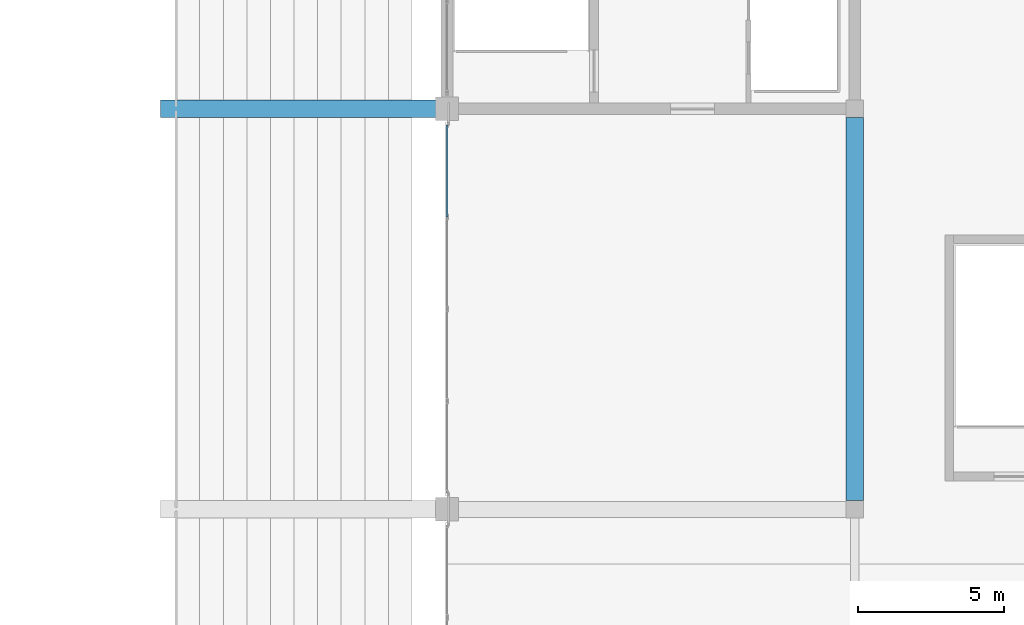
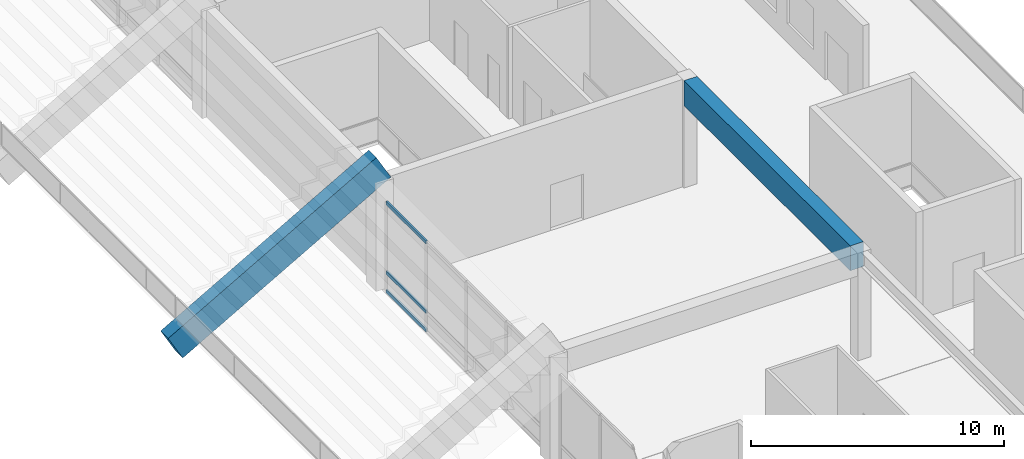
# One storey, part 38 of 90: 3 members, 2 beams, 1 element without a shape of its own.
"""IFC4 building model written with IfcOpenShell, lengths in metres."""

from ifc_helpers import new_model, si_unit, direction, frame, origin, origin_2d, place, context, subcontext, project, spatial, rectangle, hollow_rectangle, extrude, material, material_profile, profile_set, type_object, element, aggregate, save


model = new_model("IFC4")

# Units and contexts
model_context = context("Model", 3, precision=1e-05, world=origin(), true_north=direction((0.0, 1.0)))
body_context = subcontext(model_context, "Body", "Model", "MODEL_VIEW")
ifc_project = project(units=[si_unit("LENGTHUNIT", "METRE"), si_unit("AREAUNIT", "SQUARE_METRE"), si_unit("VOLUMEUNIT", "CUBIC_METRE"), si_unit("PLANEANGLEUNIT", "RADIAN"), si_unit("MASSUNIT", "GRAM", prefix="KILO")], contexts=[model_context])

# Site, building, storey
site_placement = place(None, origin())
site = spatial("IfcSite", under=ifc_project, at=site_placement, CompositionType="ELEMENT")
building_placement = place(site_placement, origin())
building = spatial("IfcBuilding", under=site, at=building_placement, Name="Linyun Crest Stadium", CompositionType="ELEMENT")
storey_placement = place(building_placement, frame((0.0, 0.0, 21.0)))
storey = spatial("IfcBuildingStorey", under=building, at=storey_placement, Name="L05", CompositionType="ELEMENT", Elevation=21.0)

# Beams
ifc_material_1 = material(Name="Precast concrete C50", Category="concrete")
ifc_material_profile_1 = material_profile(ifc_material_1, rectangle(XDim=0.60009765625, YDim=1.35009765625, at=origin_2d()), Name="PCR 1350x600")
ifc_profile_set_1 = profile_set([ifc_material_profile_1], Name="Precast concrete C50")
beam_type_1 = type_object("IfcBeamType", Name="RB03", PredefinedType="USERDEFINED", material=ifc_profile_set_1)
beam_1_placement = place(storey_placement, frame((60.5, 2.125, 0.39990234375), z_axis=(0.869361451527, 0.0, 0.494176756433), x_axis=(0.0, 1.0, 0.0)))
element("IfcBeam", 1, at=beam_1_placement, inside=storey, type_object=beam_type_1, Name="Precast raker beam RB03 V2 40", ObjectType="RAKER", PredefinedType="USERDEFINED", context=body_context, shape_type="SweptSolid", body=[
    extrude(rectangle(XDim=0.60009765625, YDim=1.35009765625, at=origin_2d()), origin(), (0.0, 0.0, 1.0), 10.927490234375),
])
ifc_material_2 = material(Name="Concrete C50", Category="concrete")
ifc_material_profile_2 = material_profile(ifc_material_2, rectangle(XDim=0.60009765625, YDim=1.199951171875, at=origin_2d()), Name="RCB 1200x600")
ifc_profile_set_2 = profile_set([ifc_material_profile_2], Name="Concrete C50")
beam_type_2 = type_object("IfcBeamType", Name="TB02", PredefinedType="USERDEFINED", material=ifc_profile_set_2)
beam_2_placement = place(storey_placement, frame((84.0, -11.324951171875, 4.5849609375), z_axis=(0.0, 1.0, 0.0), x_axis=(-1.0, 0.0, 0.0)))
element("IfcBeam", 2, at=beam_2_placement, inside=storey, type_object=beam_type_2, Name="Frame beam TB02 L05 733", ObjectType="GIRDER", PredefinedType="USERDEFINED", context=body_context, shape_type="SweptSolid", body=[
    extrude(rectangle(XDim=0.60009765625, YDim=1.199951171875, at=origin_2d()), origin(), (0.0, 0.0, 1.0), 13.14990234375),
])

# Curtain wall, members
ifc_material_3 = material(Name="Verdigris steel and low-E curtain wall assembly", Category="steel")
curtain_wall_type = type_object("IfcCurtainWallType", Name="MCW01", PredefinedType="NOTDEFINED", material=ifc_material_3)
curtain_wall_placement = place(storey_placement, origin())
curtain_wall = element("IfcCurtainWall", 3, at=curtain_wall_placement, inside=storey, type_object=curtain_wall_type, Name="CWR-099", PredefinedType="NOTDEFINED")
ifc_material_4 = material(Name="Aluminium thermally broken transom", Category="aluminium")
ifc_material_profile_3 = material_profile(ifc_material_4, hollow_rectangle(XDim=0.080078125, YDim=0.159912109375, WallThickness=0.006103515625, at=origin_2d()), Name="RHS 160x80x6")
ifc_profile_set_3 = profile_set([ifc_material_profile_3], Name="Aluminium thermally broken transom")
member_type = type_object("IfcMemberType", Name="TR01", PredefinedType="USERDEFINED", material=ifc_profile_set_3)
member_1_placement = place(storey_placement, frame((70.0, -1.587890625, 0.0), z_axis=(0.0, 1.0, 0.0), x_axis=(-1.0, 0.0, 0.0)))
member_1 = element("IfcMember", 4, at=member_1_placement, type_object=member_type, Name="CWR-099 transom 4.1", ObjectType="TRANSOM", PredefinedType="USERDEFINED", context=body_context, shape_type="SweptSolid", body=[
    extrude(hollow_rectangle(XDim=0.080078125, YDim=0.159912109375, WallThickness=0.006103515625, at=origin_2d()), origin(), (0.0, 0.0, 1.0), 3.162841796875),
])
member_2_placement = place(storey_placement, frame((70.0, -1.587890625, 0.89990234375), z_axis=(0.0, 1.0, 0.0), x_axis=(-1.0, 0.0, 0.0)))
member_2 = element("IfcMember", 5, at=member_2_placement, type_object=member_type, Name="CWR-099 transom 4.2", ObjectType="TRANSOM", PredefinedType="USERDEFINED", context=body_context, shape_type="SweptSolid", body=[
    extrude(hollow_rectangle(XDim=0.080078125, YDim=0.159912109375, WallThickness=0.006103515625, at=origin_2d()), origin(), (0.0, 0.0, 1.0), 3.162841796875),
])
member_3_placement = place(storey_placement, frame((70.0, -1.587890625, 4.25), z_axis=(0.0, 1.0, 0.0), x_axis=(-1.0, 0.0, 0.0)))
member_3 = element("IfcMember", 6, at=member_3_placement, type_object=member_type, Name="CWR-099 transom 4.3", ObjectType="TRANSOM", PredefinedType="USERDEFINED", context=body_context, shape_type="SweptSolid", body=[
    extrude(hollow_rectangle(XDim=0.080078125, YDim=0.159912109375, WallThickness=0.006103515625, at=origin_2d()), origin(), (0.0, 0.0, 1.0), 3.162841796875),
])
aggregate(curtain_wall, [member_1, member_2, member_3])

save(model, "model.ifc")
